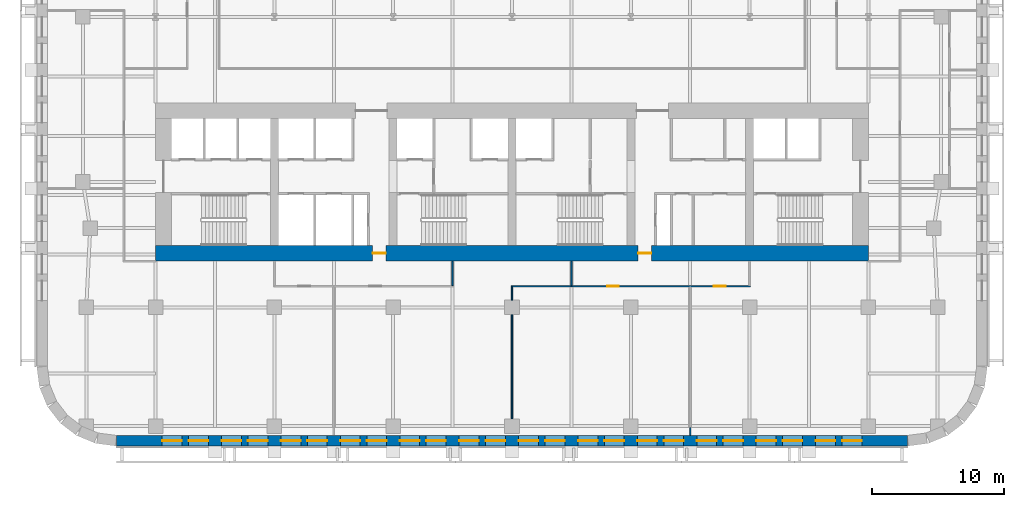
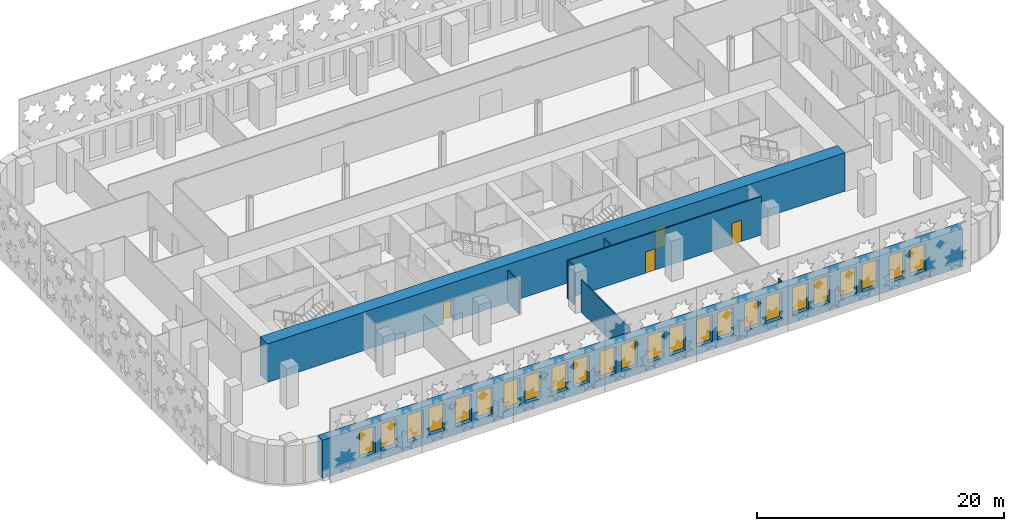
# One storey, part 5 of 15: 24 windows, 8 walls, 4 doors, 28 openings.
"""IFC4 building model written with IfcOpenShell, lengths in metres."""

from ifc_helpers import new_model, si_unit, direction, frame, frame_2d, origin, place, context, subcontext, project, spatial, rectangle, extrude, material, layer, layer_set, type_object, element, fill, save


model = new_model("IFC4")

# Units and contexts
model_context = context("Model", 3, precision=1e-05, world=origin(), true_north=direction((0.0, 1.0)))
body_context = subcontext(model_context, "Body", "Model", "MODEL_VIEW")
ifc_project = project(units=[si_unit("LENGTHUNIT", "METRE"), si_unit("AREAUNIT", "SQUARE_METRE"), si_unit("VOLUMEUNIT", "CUBIC_METRE"), si_unit("PLANEANGLEUNIT", "RADIAN"), si_unit("MASSUNIT", "GRAM", prefix="KILO")], contexts=[model_context])

# Site, building, storey
site_placement = place(None, origin())
site = spatial("IfcSite", under=ifc_project, at=site_placement, CompositionType="ELEMENT")
building_placement = place(site_placement, origin())
building = spatial("IfcBuilding", under=site, at=building_placement, Name="Zellij Exchange Tower", CompositionType="ELEMENT")
storey_placement = place(building_placement, frame((0.0, 0.0, 92.5)))
storey = spatial("IfcBuildingStorey", under=building, at=storey_placement, Name="L19", CompositionType="ELEMENT", Elevation=92.5)

# Wall, openings, doors
ifc_material_1 = material(Name="Concrete C70/85", Category="concrete")
ifc_layer_1 = layer(ifc_material_1, 1.199951171875)
ifc_layer_set_1 = layer_set([ifc_layer_1], Name="Concrete C70/85")
wall_type_1 = type_object("IfcWallType", Name="CORE-SW 1200 C70/85", PredefinedType="SHEAR", material=ifc_layer_set_1)
wall_1_placement = place(storey_placement, frame((-27.0, -13.39990234375, 0.0), z_axis=(0.0, 0.0, 1.0), x_axis=(1.0, 0.0, 0.0)))
wall_1 = element("IfcWall", 1, at=wall_1_placement, inside=storey, type_object=wall_type_1, Name="Core shear wall rear L19", PredefinedType="SHEAR", context=body_context, shape_type="SweptSolid", body=[
    extrude(rectangle(XDim=54.0, YDim=1.199951171875, at=frame_2d((27.0, 0.0))), origin(), (0.0, 0.0, 1.0), 3.800048828125),
])
opening_1_placement = place(wall_1_placement, frame((16.449951171875, 0.0, 0.0)))
opening_1 = element("IfcOpeningElement", 2, at=opening_1_placement, cuts=wall_1, Name="Opening CA-10.12", PredefinedType="OPENING", context=body_context, shape_type="SweptSolid", body=[
    extrude(rectangle(XDim=1.0, YDim=2.10009765625, at=frame_2d((0.5, 1.050048828125))), frame((0.0, 0.61181640625, 0.0), z_axis=(0.0, -1.0, 0.0), x_axis=(1.0, 0.0, 0.0)), (0.0, 0.0, 1.0), 1.223876953125),
])
opening_2_placement = place(wall_1_placement, frame((36.550048828125, 0.0, 0.0)))
opening_2 = element("IfcOpeningElement", 3, at=opening_2_placement, cuts=wall_1, Name="Opening CA-10.20", PredefinedType="OPENING", context=body_context, shape_type="SweptSolid", body=[
    extrude(rectangle(XDim=1.0, YDim=2.10009765625, at=frame_2d((0.5, 1.050048828125))), frame((0.0, 0.61181640625, 0.0), z_axis=(0.0, -1.0, 0.0), x_axis=(1.0, 0.0, 0.0)), (0.0, 0.0, 1.0), 1.223876953125),
])
ifc_material_2 = material(Name="Hollow metal fire door")
door_type_1 = type_object("IfcDoorType", Name="CORE-D CR Core rear door 1000x2100 20 MIN", OperationType="NOTDEFINED", PredefinedType="DOOR", material=ifc_material_2)
door_1_placement = place(opening_1_placement, origin())
door_1 = element("IfcDoor", 4, at=door_1_placement, inside=storey, type_object=door_type_1, Name="Core rear door CA-10.12", OperationType="SINGLE_SWING_RIGHT", OverallHeight=2.10009765625, OverallWidth=1.0, PredefinedType="DOOR", context=body_context, shape_type="SweptSolid", body=[
    extrude(rectangle(XDim=1.0, YDim=2.10009765625, at=frame_2d((0.5, 1.050048828125))), frame((0.0, 0.02490234375, 0.0), z_axis=(0.0, -1.0, 0.0), x_axis=(1.0, 0.0, 0.0)), (0.0, 0.0, 1.0), 0.050048828125),
])
fill(opening_1, door_1)
door_2_placement = place(opening_2_placement, origin())
door_2 = element("IfcDoor", 5, at=door_2_placement, inside=storey, type_object=door_type_1, Name="Core rear door CA-10.20", OperationType="SINGLE_SWING_LEFT", OverallHeight=2.10009765625, OverallWidth=1.0, PredefinedType="DOOR", context=body_context, shape_type="SweptSolid", body=[
    extrude(rectangle(XDim=1.0, YDim=2.10009765625, at=frame_2d((0.5, 1.050048828125))), frame((0.0, 0.02490234375, 0.0), z_axis=(0.0, -1.0, 0.0), x_axis=(1.0, 0.0, 0.0)), (0.0, 0.0, 1.0), 0.050048828125),
])
fill(opening_2, door_2)

# Wall, openings, windows
ifc_material_3 = material(Name="Precast concrete C40/50", Category="concrete")
ifc_layer_2 = layer(ifc_material_3, 0.800048828125)
ifc_layer_set_2 = layer_set([ifc_layer_2], Name="Precast concrete C40/50")
wall_type_2 = type_object("IfcWallType", Name="ENV-EW1 Precast stone-piered wall 800", PredefinedType="SOLIDWALL", material=ifc_layer_set_2)
wall_2_placement = place(storey_placement, frame((-29.947509765625, -27.60009765625, 0.0), z_axis=(0.0, 0.0, 1.0), x_axis=(1.0, 0.0, 0.0)))
wall_2 = element("IfcWall", 6, at=wall_2_placement, inside=storey, type_object=wall_type_2, Name="fac.L19.00", PredefinedType="SOLIDWALL", context=body_context, shape_type="SweptSolid", body=[
    extrude(rectangle(XDim=59.89501953125, YDim=0.800048828125, at=frame_2d((29.947509765625, 0.0))), origin(), (0.0, 0.0, 1.0), 3.800048828125),
])
opening_3_placement = place(wall_2_placement, frame((3.447509765625, 0.0, 0.800048828125)))
opening_3 = element("IfcOpeningElement", 7, at=opening_3_placement, cuts=wall_2, Name="Opening FZ1.01", PredefinedType="OPENING", context=body_context, shape_type="SweptSolid", body=[
    extrude(rectangle(XDim=1.5, YDim=2.699951171875, at=frame_2d((0.75, 1.35009765625))), frame((0.0, 0.412109375, 0.0), z_axis=(0.0, -1.0, 0.0), x_axis=(1.0, 0.0, 0.0)), (0.0, 0.0, 1.0), 0.823974609375),
])
opening_4_placement = place(wall_2_placement, frame((5.447509765625, 0.0, 0.800048828125)))
opening_4 = element("IfcOpeningElement", 8, at=opening_4_placement, cuts=wall_2, Name="Opening FZ1.02", PredefinedType="OPENING", context=body_context, shape_type="SweptSolid", body=[
    extrude(rectangle(XDim=1.5, YDim=2.699951171875, at=frame_2d((0.75, 1.35009765625))), frame((0.0, 0.412109375, 0.0), z_axis=(0.0, -1.0, 0.0), x_axis=(1.0, 0.0, 0.0)), (0.0, 0.0, 1.0), 0.823974609375),
])
opening_5_placement = place(wall_2_placement, frame((7.947509765625, 0.0, 0.800048828125)))
opening_5 = element("IfcOpeningElement", 9, at=opening_5_placement, cuts=wall_2, Name="Opening FZ1.03", PredefinedType="OPENING", context=body_context, shape_type="SweptSolid", body=[
    extrude(rectangle(XDim=1.5, YDim=2.699951171875, at=frame_2d((0.75, 1.35009765625))), frame((0.0, 0.412109375, 0.0), z_axis=(0.0, -1.0, 0.0), x_axis=(1.0, 0.0, 0.0)), (0.0, 0.0, 1.0), 0.823974609375),
])
opening_6_placement = place(wall_2_placement, frame((9.947509765625, 0.0, 0.800048828125)))
opening_6 = element("IfcOpeningElement", 10, at=opening_6_placement, cuts=wall_2, Name="Opening FZ1.04", PredefinedType="OPENING", context=body_context, shape_type="SweptSolid", body=[
    extrude(rectangle(XDim=1.5, YDim=2.699951171875, at=frame_2d((0.75, 1.35009765625))), frame((0.0, 0.412109375, 0.0), z_axis=(0.0, -1.0, 0.0), x_axis=(1.0, 0.0, 0.0)), (0.0, 0.0, 1.0), 0.823974609375),
])
opening_7_placement = place(wall_2_placement, frame((12.447509765625, 0.0, 0.800048828125)))
opening_7 = element("IfcOpeningElement", 11, at=opening_7_placement, cuts=wall_2, Name="Opening FZ1.05", PredefinedType="OPENING", context=body_context, shape_type="SweptSolid", body=[
    extrude(rectangle(XDim=1.5, YDim=2.699951171875, at=frame_2d((0.75, 1.35009765625))), frame((0.0, 0.412109375, 0.0), z_axis=(0.0, -1.0, 0.0), x_axis=(1.0, 0.0, 0.0)), (0.0, 0.0, 1.0), 0.823974609375),
])
opening_8_placement = place(wall_2_placement, frame((14.447509765625, 0.0, 0.800048828125)))
opening_8 = element("IfcOpeningElement", 12, at=opening_8_placement, cuts=wall_2, Name="Opening FZ1.06", PredefinedType="OPENING", context=body_context, shape_type="SweptSolid", body=[
    extrude(rectangle(XDim=1.5, YDim=2.699951171875, at=frame_2d((0.75, 1.35009765625))), frame((0.0, 0.412109375, 0.0), z_axis=(0.0, -1.0, 0.0), x_axis=(1.0, 0.0, 0.0)), (0.0, 0.0, 1.0), 0.823974609375),
])
opening_9_placement = place(wall_2_placement, frame((16.947509765625, 0.0, 0.800048828125)))
opening_9 = element("IfcOpeningElement", 13, at=opening_9_placement, cuts=wall_2, Name="Opening FZ1.07", PredefinedType="OPENING", context=body_context, shape_type="SweptSolid", body=[
    extrude(rectangle(XDim=1.5, YDim=2.699951171875, at=frame_2d((0.75, 1.35009765625))), frame((0.0, 0.412109375, 0.0), z_axis=(0.0, -1.0, 0.0), x_axis=(1.0, 0.0, 0.0)), (0.0, 0.0, 1.0), 0.823974609375),
])
opening_10_placement = place(wall_2_placement, frame((18.947509765625, 0.0, 0.800048828125)))
opening_10 = element("IfcOpeningElement", 14, at=opening_10_placement, cuts=wall_2, Name="Opening FZ1.08", PredefinedType="OPENING", context=body_context, shape_type="SweptSolid", body=[
    extrude(rectangle(XDim=1.5, YDim=2.699951171875, at=frame_2d((0.75, 1.35009765625))), frame((0.0, 0.412109375, 0.0), z_axis=(0.0, -1.0, 0.0), x_axis=(1.0, 0.0, 0.0)), (0.0, 0.0, 1.0), 0.823974609375),
])
opening_11_placement = place(wall_2_placement, frame((21.447509765625, 0.0, 0.800048828125)))
opening_11 = element("IfcOpeningElement", 15, at=opening_11_placement, cuts=wall_2, Name="Opening FZ1.09", PredefinedType="OPENING", context=body_context, shape_type="SweptSolid", body=[
    extrude(rectangle(XDim=1.5, YDim=2.699951171875, at=frame_2d((0.75, 1.35009765625))), frame((0.0, 0.412109375, 0.0), z_axis=(0.0, -1.0, 0.0), x_axis=(1.0, 0.0, 0.0)), (0.0, 0.0, 1.0), 0.823974609375),
])
opening_12_placement = place(wall_2_placement, frame((23.447509765625, 0.0, 0.800048828125)))
opening_12 = element("IfcOpeningElement", 16, at=opening_12_placement, cuts=wall_2, Name="Opening FZ1.10", PredefinedType="OPENING", context=body_context, shape_type="SweptSolid", body=[
    extrude(rectangle(XDim=1.5, YDim=2.699951171875, at=frame_2d((0.75, 1.35009765625))), frame((0.0, 0.412109375, 0.0), z_axis=(0.0, -1.0, 0.0), x_axis=(1.0, 0.0, 0.0)), (0.0, 0.0, 1.0), 0.823974609375),
])
opening_13_placement = place(wall_2_placement, frame((25.947509765625, 0.0, 0.800048828125)))
opening_13 = element("IfcOpeningElement", 17, at=opening_13_placement, cuts=wall_2, Name="Opening FZ1.11", PredefinedType="OPENING", context=body_context, shape_type="SweptSolid", body=[
    extrude(rectangle(XDim=1.5, YDim=2.699951171875, at=frame_2d((0.75, 1.35009765625))), frame((0.0, 0.412109375, 0.0), z_axis=(0.0, -1.0, 0.0), x_axis=(1.0, 0.0, 0.0)), (0.0, 0.0, 1.0), 0.823974609375),
])
opening_14_placement = place(wall_2_placement, frame((27.947509765625, 0.0, 0.800048828125)))
opening_14 = element("IfcOpeningElement", 18, at=opening_14_placement, cuts=wall_2, Name="Opening FZ1.12", PredefinedType="OPENING", context=body_context, shape_type="SweptSolid", body=[
    extrude(rectangle(XDim=1.5, YDim=2.699951171875, at=frame_2d((0.75, 1.35009765625))), frame((0.0, 0.412109375, 0.0), z_axis=(0.0, -1.0, 0.0), x_axis=(1.0, 0.0, 0.0)), (0.0, 0.0, 1.0), 0.823974609375),
])
opening_15_placement = place(wall_2_placement, frame((30.447509765625, 0.0, 0.800048828125)))
opening_15 = element("IfcOpeningElement", 19, at=opening_15_placement, cuts=wall_2, Name="Opening FZ1.13", PredefinedType="OPENING", context=body_context, shape_type="SweptSolid", body=[
    extrude(rectangle(XDim=1.5, YDim=2.699951171875, at=frame_2d((0.75, 1.35009765625))), frame((0.0, 0.412109375, 0.0), z_axis=(0.0, -1.0, 0.0), x_axis=(1.0, 0.0, 0.0)), (0.0, 0.0, 1.0), 0.823974609375),
])
opening_16_placement = place(wall_2_placement, frame((32.447509765625, 0.0, 0.800048828125)))
opening_16 = element("IfcOpeningElement", 20, at=opening_16_placement, cuts=wall_2, Name="Opening FZ1.14", PredefinedType="OPENING", context=body_context, shape_type="SweptSolid", body=[
    extrude(rectangle(XDim=1.5, YDim=2.699951171875, at=frame_2d((0.75, 1.35009765625))), frame((0.0, 0.412109375, 0.0), z_axis=(0.0, -1.0, 0.0), x_axis=(1.0, 0.0, 0.0)), (0.0, 0.0, 1.0), 0.823974609375),
])
opening_17_placement = place(wall_2_placement, frame((34.947509765625, 0.0, 0.800048828125)))
opening_17 = element("IfcOpeningElement", 21, at=opening_17_placement, cuts=wall_2, Name="Opening FZ1.15", PredefinedType="OPENING", context=body_context, shape_type="SweptSolid", body=[
    extrude(rectangle(XDim=1.5, YDim=2.699951171875, at=frame_2d((0.75, 1.35009765625))), frame((0.0, 0.412109375, 0.0), z_axis=(0.0, -1.0, 0.0), x_axis=(1.0, 0.0, 0.0)), (0.0, 0.0, 1.0), 0.823974609375),
])
opening_18_placement = place(wall_2_placement, frame((36.947509765625, 0.0, 0.800048828125)))
opening_18 = element("IfcOpeningElement", 22, at=opening_18_placement, cuts=wall_2, Name="Opening FZ1.16", PredefinedType="OPENING", context=body_context, shape_type="SweptSolid", body=[
    extrude(rectangle(XDim=1.5, YDim=2.699951171875, at=frame_2d((0.75, 1.35009765625))), frame((0.0, 0.412109375, 0.0), z_axis=(0.0, -1.0, 0.0), x_axis=(1.0, 0.0, 0.0)), (0.0, 0.0, 1.0), 0.823974609375),
])
opening_19_placement = place(wall_2_placement, frame((39.447509765625, 0.0, 0.800048828125)))
opening_19 = element("IfcOpeningElement", 23, at=opening_19_placement, cuts=wall_2, Name="Opening FZ1.17", PredefinedType="OPENING", context=body_context, shape_type="SweptSolid", body=[
    extrude(rectangle(XDim=1.5, YDim=2.699951171875, at=frame_2d((0.75, 1.35009765625))), frame((0.0, 0.412109375, 0.0), z_axis=(0.0, -1.0, 0.0), x_axis=(1.0, 0.0, 0.0)), (0.0, 0.0, 1.0), 0.823974609375),
])
opening_20_placement = place(wall_2_placement, frame((41.447509765625, 0.0, 0.800048828125)))
opening_20 = element("IfcOpeningElement", 24, at=opening_20_placement, cuts=wall_2, Name="Opening FZ1.18", PredefinedType="OPENING", context=body_context, shape_type="SweptSolid", body=[
    extrude(rectangle(XDim=1.5, YDim=2.699951171875, at=frame_2d((0.75, 1.35009765625))), frame((0.0, 0.412109375, 0.0), z_axis=(0.0, -1.0, 0.0), x_axis=(1.0, 0.0, 0.0)), (0.0, 0.0, 1.0), 0.823974609375),
])
opening_21_placement = place(wall_2_placement, frame((43.947509765625, 0.0, 0.800048828125)))
opening_21 = element("IfcOpeningElement", 25, at=opening_21_placement, cuts=wall_2, Name="Opening FZ1.19", PredefinedType="OPENING", context=body_context, shape_type="SweptSolid", body=[
    extrude(rectangle(XDim=1.5, YDim=2.699951171875, at=frame_2d((0.75, 1.35009765625))), frame((0.0, 0.412109375, 0.0), z_axis=(0.0, -1.0, 0.0), x_axis=(1.0, 0.0, 0.0)), (0.0, 0.0, 1.0), 0.823974609375),
])
opening_22_placement = place(wall_2_placement, frame((45.947509765625, 0.0, 0.800048828125)))
opening_22 = element("IfcOpeningElement", 26, at=opening_22_placement, cuts=wall_2, Name="Opening FZ1.20", PredefinedType="OPENING", context=body_context, shape_type="SweptSolid", body=[
    extrude(rectangle(XDim=1.5, YDim=2.699951171875, at=frame_2d((0.75, 1.35009765625))), frame((0.0, 0.412109375, 0.0), z_axis=(0.0, -1.0, 0.0), x_axis=(1.0, 0.0, 0.0)), (0.0, 0.0, 1.0), 0.823974609375),
])
opening_23_placement = place(wall_2_placement, frame((48.447509765625, 0.0, 0.800048828125)))
opening_23 = element("IfcOpeningElement", 27, at=opening_23_placement, cuts=wall_2, Name="Opening FZ1.21", PredefinedType="OPENING", context=body_context, shape_type="SweptSolid", body=[
    extrude(rectangle(XDim=1.5, YDim=2.699951171875, at=frame_2d((0.75, 1.35009765625))), frame((0.0, 0.412109375, 0.0), z_axis=(0.0, -1.0, 0.0), x_axis=(1.0, 0.0, 0.0)), (0.0, 0.0, 1.0), 0.823974609375),
])
opening_24_placement = place(wall_2_placement, frame((50.447509765625, 0.0, 0.800048828125)))
opening_24 = element("IfcOpeningElement", 28, at=opening_24_placement, cuts=wall_2, Name="Opening FZ1.22", PredefinedType="OPENING", context=body_context, shape_type="SweptSolid", body=[
    extrude(rectangle(XDim=1.5, YDim=2.699951171875, at=frame_2d((0.75, 1.35009765625))), frame((0.0, 0.412109375, 0.0), z_axis=(0.0, -1.0, 0.0), x_axis=(1.0, 0.0, 0.0)), (0.0, 0.0, 1.0), 0.823974609375),
])
opening_25_placement = place(wall_2_placement, frame((52.947509765625, 0.0, 0.800048828125)))
opening_25 = element("IfcOpeningElement", 29, at=opening_25_placement, cuts=wall_2, Name="Opening FZ1.23", PredefinedType="OPENING", context=body_context, shape_type="SweptSolid", body=[
    extrude(rectangle(XDim=1.5, YDim=2.699951171875, at=frame_2d((0.75, 1.35009765625))), frame((0.0, 0.412109375, 0.0), z_axis=(0.0, -1.0, 0.0), x_axis=(1.0, 0.0, 0.0)), (0.0, 0.0, 1.0), 0.823974609375),
])
opening_26_placement = place(wall_2_placement, frame((54.947509765625, 0.0, 0.800048828125)))
opening_26 = element("IfcOpeningElement", 30, at=opening_26_placement, cuts=wall_2, Name="Opening FZ1.24", PredefinedType="OPENING", context=body_context, shape_type="SweptSolid", body=[
    extrude(rectangle(XDim=1.5, YDim=2.699951171875, at=frame_2d((0.75, 1.35009765625))), frame((0.0, 0.412109375, 0.0), z_axis=(0.0, -1.0, 0.0), x_axis=(1.0, 0.0, 0.0)), (0.0, 0.0, 1.0), 0.823974609375),
])
ifc_material_4 = material(Name="Aluminium frame with insulating glass", Category="aluminium")
window_type = type_object("IfcWindowType", Name="ENV-W6 Window 1500x2700", PartitioningType="SINGLE_PANEL", PredefinedType="WINDOW", material=ifc_material_4)
window_1_placement = place(opening_3_placement, origin())
window_1 = element("IfcWindow", 31, at=window_1_placement, inside=storey, type_object=window_type, Name="Window FZ1.01", OverallHeight=2.699951171875, OverallWidth=1.5, PartitioningType="SINGLE_PANEL", PredefinedType="WINDOW", context=body_context, shape_type="SweptSolid", body=[
    extrude(rectangle(XDim=1.5, YDim=2.699951171875, at=frame_2d((0.75, 1.35009765625))), frame((0.0, 0.030029296875, 0.0), z_axis=(0.0, -1.0, 0.0), x_axis=(1.0, 0.0, 0.0)), (0.0, 0.0, 1.0), 0.06005859375),
])
fill(opening_3, window_1)
window_2_placement = place(opening_4_placement, origin())
window_2 = element("IfcWindow", 32, at=window_2_placement, inside=storey, type_object=window_type, Name="Window FZ1.02", OverallHeight=2.699951171875, OverallWidth=1.5, PartitioningType="SINGLE_PANEL", PredefinedType="WINDOW", context=body_context, shape_type="SweptSolid", body=[
    extrude(rectangle(XDim=1.5, YDim=2.699951171875, at=frame_2d((0.75, 1.35009765625))), frame((0.0, 0.030029296875, 0.0), z_axis=(0.0, -1.0, 0.0), x_axis=(1.0, 0.0, 0.0)), (0.0, 0.0, 1.0), 0.06005859375),
])
fill(opening_4, window_2)
window_3_placement = place(opening_5_placement, origin())
window_3 = element("IfcWindow", 33, at=window_3_placement, inside=storey, type_object=window_type, Name="Window FZ1.03", OverallHeight=2.699951171875, OverallWidth=1.5, PartitioningType="SINGLE_PANEL", PredefinedType="WINDOW", context=body_context, shape_type="SweptSolid", body=[
    extrude(rectangle(XDim=1.5, YDim=2.699951171875, at=frame_2d((0.75, 1.35009765625))), frame((0.0, 0.030029296875, 0.0), z_axis=(0.0, -1.0, 0.0), x_axis=(1.0, 0.0, 0.0)), (0.0, 0.0, 1.0), 0.06005859375),
])
fill(opening_5, window_3)
window_4_placement = place(opening_6_placement, origin())
window_4 = element("IfcWindow", 34, at=window_4_placement, inside=storey, type_object=window_type, Name="Window FZ1.04", OverallHeight=2.699951171875, OverallWidth=1.5, PartitioningType="SINGLE_PANEL", PredefinedType="WINDOW", context=body_context, shape_type="SweptSolid", body=[
    extrude(rectangle(XDim=1.5, YDim=2.699951171875, at=frame_2d((0.75, 1.35009765625))), frame((0.0, 0.030029296875, 0.0), z_axis=(0.0, -1.0, 0.0), x_axis=(1.0, 0.0, 0.0)), (0.0, 0.0, 1.0), 0.06005859375),
])
fill(opening_6, window_4)
window_5_placement = place(opening_7_placement, origin())
window_5 = element("IfcWindow", 35, at=window_5_placement, inside=storey, type_object=window_type, Name="Window FZ1.05", OverallHeight=2.699951171875, OverallWidth=1.5, PartitioningType="SINGLE_PANEL", PredefinedType="WINDOW", context=body_context, shape_type="SweptSolid", body=[
    extrude(rectangle(XDim=1.5, YDim=2.699951171875, at=frame_2d((0.75, 1.35009765625))), frame((0.0, 0.030029296875, 0.0), z_axis=(0.0, -1.0, 0.0), x_axis=(1.0, 0.0, 0.0)), (0.0, 0.0, 1.0), 0.06005859375),
])
fill(opening_7, window_5)
window_6_placement = place(opening_8_placement, origin())
window_6 = element("IfcWindow", 36, at=window_6_placement, inside=storey, type_object=window_type, Name="Window FZ1.06", OverallHeight=2.699951171875, OverallWidth=1.5, PartitioningType="SINGLE_PANEL", PredefinedType="WINDOW", context=body_context, shape_type="SweptSolid", body=[
    extrude(rectangle(XDim=1.5, YDim=2.699951171875, at=frame_2d((0.75, 1.35009765625))), frame((0.0, 0.030029296875, 0.0), z_axis=(0.0, -1.0, 0.0), x_axis=(1.0, 0.0, 0.0)), (0.0, 0.0, 1.0), 0.06005859375),
])
fill(opening_8, window_6)
window_7_placement = place(opening_9_placement, origin())
window_7 = element("IfcWindow", 37, at=window_7_placement, inside=storey, type_object=window_type, Name="Window FZ1.07", OverallHeight=2.699951171875, OverallWidth=1.5, PartitioningType="SINGLE_PANEL", PredefinedType="WINDOW", context=body_context, shape_type="SweptSolid", body=[
    extrude(rectangle(XDim=1.5, YDim=2.699951171875, at=frame_2d((0.75, 1.35009765625))), frame((0.0, 0.030029296875, 0.0), z_axis=(0.0, -1.0, 0.0), x_axis=(1.0, 0.0, 0.0)), (0.0, 0.0, 1.0), 0.06005859375),
])
fill(opening_9, window_7)
window_8_placement = place(opening_10_placement, origin())
window_8 = element("IfcWindow", 38, at=window_8_placement, inside=storey, type_object=window_type, Name="Window FZ1.08", OverallHeight=2.699951171875, OverallWidth=1.5, PartitioningType="SINGLE_PANEL", PredefinedType="WINDOW", context=body_context, shape_type="SweptSolid", body=[
    extrude(rectangle(XDim=1.5, YDim=2.699951171875, at=frame_2d((0.75, 1.35009765625))), frame((0.0, 0.030029296875, 0.0), z_axis=(0.0, -1.0, 0.0), x_axis=(1.0, 0.0, 0.0)), (0.0, 0.0, 1.0), 0.06005859375),
])
fill(opening_10, window_8)
window_9_placement = place(opening_11_placement, origin())
window_9 = element("IfcWindow", 39, at=window_9_placement, inside=storey, type_object=window_type, Name="Window FZ1.09", OverallHeight=2.699951171875, OverallWidth=1.5, PartitioningType="SINGLE_PANEL", PredefinedType="WINDOW", context=body_context, shape_type="SweptSolid", body=[
    extrude(rectangle(XDim=1.5, YDim=2.699951171875, at=frame_2d((0.75, 1.35009765625))), frame((0.0, 0.030029296875, 0.0), z_axis=(0.0, -1.0, 0.0), x_axis=(1.0, 0.0, 0.0)), (0.0, 0.0, 1.0), 0.06005859375),
])
fill(opening_11, window_9)
window_10_placement = place(opening_12_placement, origin())
window_10 = element("IfcWindow", 40, at=window_10_placement, inside=storey, type_object=window_type, Name="Window FZ1.10", OverallHeight=2.699951171875, OverallWidth=1.5, PartitioningType="SINGLE_PANEL", PredefinedType="WINDOW", context=body_context, shape_type="SweptSolid", body=[
    extrude(rectangle(XDim=1.5, YDim=2.699951171875, at=frame_2d((0.75, 1.35009765625))), frame((0.0, 0.030029296875, 0.0), z_axis=(0.0, -1.0, 0.0), x_axis=(1.0, 0.0, 0.0)), (0.0, 0.0, 1.0), 0.06005859375),
])
fill(opening_12, window_10)
window_11_placement = place(opening_13_placement, origin())
window_11 = element("IfcWindow", 41, at=window_11_placement, inside=storey, type_object=window_type, Name="Window FZ1.11", OverallHeight=2.699951171875, OverallWidth=1.5, PartitioningType="SINGLE_PANEL", PredefinedType="WINDOW", context=body_context, shape_type="SweptSolid", body=[
    extrude(rectangle(XDim=1.5, YDim=2.699951171875, at=frame_2d((0.75, 1.35009765625))), frame((0.0, 0.030029296875, 0.0), z_axis=(0.0, -1.0, 0.0), x_axis=(1.0, 0.0, 0.0)), (0.0, 0.0, 1.0), 0.06005859375),
])
fill(opening_13, window_11)
window_12_placement = place(opening_14_placement, origin())
window_12 = element("IfcWindow", 42, at=window_12_placement, inside=storey, type_object=window_type, Name="Window FZ1.12", OverallHeight=2.699951171875, OverallWidth=1.5, PartitioningType="SINGLE_PANEL", PredefinedType="WINDOW", context=body_context, shape_type="SweptSolid", body=[
    extrude(rectangle(XDim=1.5, YDim=2.699951171875, at=frame_2d((0.75, 1.35009765625))), frame((0.0, 0.030029296875, 0.0), z_axis=(0.0, -1.0, 0.0), x_axis=(1.0, 0.0, 0.0)), (0.0, 0.0, 1.0), 0.06005859375),
])
fill(opening_14, window_12)
window_13_placement = place(opening_15_placement, origin())
window_13 = element("IfcWindow", 43, at=window_13_placement, inside=storey, type_object=window_type, Name="Window FZ1.13", OverallHeight=2.699951171875, OverallWidth=1.5, PartitioningType="SINGLE_PANEL", PredefinedType="WINDOW", context=body_context, shape_type="SweptSolid", body=[
    extrude(rectangle(XDim=1.5, YDim=2.699951171875, at=frame_2d((0.75, 1.35009765625))), frame((0.0, 0.030029296875, 0.0), z_axis=(0.0, -1.0, 0.0), x_axis=(1.0, 0.0, 0.0)), (0.0, 0.0, 1.0), 0.06005859375),
])
fill(opening_15, window_13)
window_14_placement = place(opening_16_placement, origin())
window_14 = element("IfcWindow", 44, at=window_14_placement, inside=storey, type_object=window_type, Name="Window FZ1.14", OverallHeight=2.699951171875, OverallWidth=1.5, PartitioningType="SINGLE_PANEL", PredefinedType="WINDOW", context=body_context, shape_type="SweptSolid", body=[
    extrude(rectangle(XDim=1.5, YDim=2.699951171875, at=frame_2d((0.75, 1.35009765625))), frame((0.0, 0.030029296875, 0.0), z_axis=(0.0, -1.0, 0.0), x_axis=(1.0, 0.0, 0.0)), (0.0, 0.0, 1.0), 0.06005859375),
])
fill(opening_16, window_14)
window_15_placement = place(opening_17_placement, origin())
window_15 = element("IfcWindow", 45, at=window_15_placement, inside=storey, type_object=window_type, Name="Window FZ1.15", OverallHeight=2.699951171875, OverallWidth=1.5, PartitioningType="SINGLE_PANEL", PredefinedType="WINDOW", context=body_context, shape_type="SweptSolid", body=[
    extrude(rectangle(XDim=1.5, YDim=2.699951171875, at=frame_2d((0.75, 1.35009765625))), frame((0.0, 0.030029296875, 0.0), z_axis=(0.0, -1.0, 0.0), x_axis=(1.0, 0.0, 0.0)), (0.0, 0.0, 1.0), 0.06005859375),
])
fill(opening_17, window_15)
window_16_placement = place(opening_18_placement, origin())
window_16 = element("IfcWindow", 46, at=window_16_placement, inside=storey, type_object=window_type, Name="Window FZ1.16", OverallHeight=2.699951171875, OverallWidth=1.5, PartitioningType="SINGLE_PANEL", PredefinedType="WINDOW", context=body_context, shape_type="SweptSolid", body=[
    extrude(rectangle(XDim=1.5, YDim=2.699951171875, at=frame_2d((0.75, 1.35009765625))), frame((0.0, 0.030029296875, 0.0), z_axis=(0.0, -1.0, 0.0), x_axis=(1.0, 0.0, 0.0)), (0.0, 0.0, 1.0), 0.06005859375),
])
fill(opening_18, window_16)
window_17_placement = place(opening_19_placement, origin())
window_17 = element("IfcWindow", 47, at=window_17_placement, inside=storey, type_object=window_type, Name="Window FZ1.17", OverallHeight=2.699951171875, OverallWidth=1.5, PartitioningType="SINGLE_PANEL", PredefinedType="WINDOW", context=body_context, shape_type="SweptSolid", body=[
    extrude(rectangle(XDim=1.5, YDim=2.699951171875, at=frame_2d((0.75, 1.35009765625))), frame((0.0, 0.030029296875, 0.0), z_axis=(0.0, -1.0, 0.0), x_axis=(1.0, 0.0, 0.0)), (0.0, 0.0, 1.0), 0.06005859375),
])
fill(opening_19, window_17)
window_18_placement = place(opening_20_placement, origin())
window_18 = element("IfcWindow", 48, at=window_18_placement, inside=storey, type_object=window_type, Name="Window FZ1.18", OverallHeight=2.699951171875, OverallWidth=1.5, PartitioningType="SINGLE_PANEL", PredefinedType="WINDOW", context=body_context, shape_type="SweptSolid", body=[
    extrude(rectangle(XDim=1.5, YDim=2.699951171875, at=frame_2d((0.75, 1.35009765625))), frame((0.0, 0.030029296875, 0.0), z_axis=(0.0, -1.0, 0.0), x_axis=(1.0, 0.0, 0.0)), (0.0, 0.0, 1.0), 0.06005859375),
])
fill(opening_20, window_18)
window_19_placement = place(opening_21_placement, origin())
window_19 = element("IfcWindow", 49, at=window_19_placement, inside=storey, type_object=window_type, Name="Window FZ1.19", OverallHeight=2.699951171875, OverallWidth=1.5, PartitioningType="SINGLE_PANEL", PredefinedType="WINDOW", context=body_context, shape_type="SweptSolid", body=[
    extrude(rectangle(XDim=1.5, YDim=2.699951171875, at=frame_2d((0.75, 1.35009765625))), frame((0.0, 0.030029296875, 0.0), z_axis=(0.0, -1.0, 0.0), x_axis=(1.0, 0.0, 0.0)), (0.0, 0.0, 1.0), 0.06005859375),
])
fill(opening_21, window_19)
window_20_placement = place(opening_22_placement, origin())
window_20 = element("IfcWindow", 50, at=window_20_placement, inside=storey, type_object=window_type, Name="Window FZ1.20", OverallHeight=2.699951171875, OverallWidth=1.5, PartitioningType="SINGLE_PANEL", PredefinedType="WINDOW", context=body_context, shape_type="SweptSolid", body=[
    extrude(rectangle(XDim=1.5, YDim=2.699951171875, at=frame_2d((0.75, 1.35009765625))), frame((0.0, 0.030029296875, 0.0), z_axis=(0.0, -1.0, 0.0), x_axis=(1.0, 0.0, 0.0)), (0.0, 0.0, 1.0), 0.06005859375),
])
fill(opening_22, window_20)
window_21_placement = place(opening_23_placement, origin())
window_21 = element("IfcWindow", 51, at=window_21_placement, inside=storey, type_object=window_type, Name="Window FZ1.21", OverallHeight=2.699951171875, OverallWidth=1.5, PartitioningType="SINGLE_PANEL", PredefinedType="WINDOW", context=body_context, shape_type="SweptSolid", body=[
    extrude(rectangle(XDim=1.5, YDim=2.699951171875, at=frame_2d((0.75, 1.35009765625))), frame((0.0, 0.030029296875, 0.0), z_axis=(0.0, -1.0, 0.0), x_axis=(1.0, 0.0, 0.0)), (0.0, 0.0, 1.0), 0.06005859375),
])
fill(opening_23, window_21)
window_22_placement = place(opening_24_placement, origin())
window_22 = element("IfcWindow", 52, at=window_22_placement, inside=storey, type_object=window_type, Name="Window FZ1.22", OverallHeight=2.699951171875, OverallWidth=1.5, PartitioningType="SINGLE_PANEL", PredefinedType="WINDOW", context=body_context, shape_type="SweptSolid", body=[
    extrude(rectangle(XDim=1.5, YDim=2.699951171875, at=frame_2d((0.75, 1.35009765625))), frame((0.0, 0.030029296875, 0.0), z_axis=(0.0, -1.0, 0.0), x_axis=(1.0, 0.0, 0.0)), (0.0, 0.0, 1.0), 0.06005859375),
])
fill(opening_24, window_22)
window_23_placement = place(opening_25_placement, origin())
window_23 = element("IfcWindow", 53, at=window_23_placement, inside=storey, type_object=window_type, Name="Window FZ1.23", OverallHeight=2.699951171875, OverallWidth=1.5, PartitioningType="SINGLE_PANEL", PredefinedType="WINDOW", context=body_context, shape_type="SweptSolid", body=[
    extrude(rectangle(XDim=1.5, YDim=2.699951171875, at=frame_2d((0.75, 1.35009765625))), frame((0.0, 0.030029296875, 0.0), z_axis=(0.0, -1.0, 0.0), x_axis=(1.0, 0.0, 0.0)), (0.0, 0.0, 1.0), 0.06005859375),
])
fill(opening_25, window_23)
window_24_placement = place(opening_26_placement, origin())
window_24 = element("IfcWindow", 54, at=window_24_placement, inside=storey, type_object=window_type, Name="Window FZ1.24", OverallHeight=2.699951171875, OverallWidth=1.5, PartitioningType="SINGLE_PANEL", PredefinedType="WINDOW", context=body_context, shape_type="SweptSolid", body=[
    extrude(rectangle(XDim=1.5, YDim=2.699951171875, at=frame_2d((0.75, 1.35009765625))), frame((0.0, 0.030029296875, 0.0), z_axis=(0.0, -1.0, 0.0), x_axis=(1.0, 0.0, 0.0)), (0.0, 0.0, 1.0), 0.06005859375),
])
fill(opening_26, window_24)

# Walls
ifc_material_5 = material(Name="Gypsum board partition on steel studs", Category="steel")
ifc_layer_3 = layer(ifc_material_5, 0.10009765625)
ifc_layer_set_3 = layer_set([ifc_layer_3], Name="Gypsum board partition on steel studs")
wall_type_3 = type_object("IfcWallType", Name="FIT-PARTITION-100", PredefinedType="PARTITIONING", material=ifc_layer_set_3)
wall_3_placement = place(storey_placement, frame((0.0, -25.949951171875, 0.0), z_axis=(0.0, 0.0, 1.0), x_axis=(0.0, 1.0, 0.0)))
element("IfcWall", 55, at=wall_3_placement, inside=storey, type_object=wall_type_3, Name="FIT-PARTITION-100 003", PredefinedType="PARTITIONING", context=body_context, shape_type="SweptSolid", body=[
    extrude(rectangle(XDim=7.89990234375, YDim=0.10009765625, at=frame_2d((3.949951171875, 0.0))), origin(), (0.0, 0.0, 1.0), 3.18798828125),
])
wall_4_placement = place(storey_placement, frame((0.0, -16.949951171875, 0.0), z_axis=(0.0, 0.0, 1.0), x_axis=(0.0, 1.0, 0.0)))
element("IfcWall", 56, at=wall_4_placement, inside=storey, type_object=wall_type_3, Name="FIT-PARTITION-100 004", PredefinedType="PARTITIONING", context=body_context, shape_type="SweptSolid", body=[
    extrude(rectangle(XDim=1.0, YDim=0.10009765625, at=frame_2d((0.5, 0.0))), origin(), (0.0, 0.0, 1.0), 3.800048828125),
])
wall_5_placement = place(storey_placement, frame((13.5, -27.199951171875, 0.0), z_axis=(0.0, 0.0, 1.0), x_axis=(0.0, 1.0, 0.0)))
element("IfcWall", 57, at=wall_5_placement, inside=storey, type_object=wall_type_3, Name="FIT-PARTITION-100 005", PredefinedType="PARTITIONING", context=body_context, shape_type="SweptSolid", body=[
    extrude(rectangle(XDim=0.58544921875, YDim=0.10009765625, at=frame_2d((0.292724609375, 0.0))), origin(), (0.0, 0.0, 1.0), 3.800048828125),
])
wall_6_placement = place(storey_placement, frame((-4.5, -15.85009765625, 0.0), z_axis=(0.0, 0.0, 1.0), x_axis=(0.0, 1.0, 0.0)))
element("IfcWall", 58, at=wall_6_placement, inside=storey, type_object=wall_type_3, Name="FIT-PARTITION-100 009", PredefinedType="PARTITIONING", context=body_context, shape_type="SweptSolid", body=[
    extrude(rectangle(XDim=1.85009765625, YDim=0.10009765625, at=frame_2d((0.925048828125, 0.0))), origin(), (0.0, 0.0, 1.0), 3.197998046875),
])

# Wall, openings, doors
wall_7_placement = place(storey_placement, frame((-0.050048828125, -15.89990234375, 0.0), z_axis=(0.0, 0.0, 1.0), x_axis=(1.0, 0.0, 0.0)))
wall_7 = element("IfcWall", 59, at=wall_7_placement, inside=storey, type_object=wall_type_3, Name="FIT-PARTITION-100 010", PredefinedType="PARTITIONING", context=body_context, shape_type="SweptSolid", body=[
    extrude(rectangle(XDim=18.10009765625, YDim=0.10009765625, at=frame_2d((9.050048828125, 0.0))), origin(), (0.0, 0.0, 1.0), 3.800048828125),
])
opening_27_placement = place(wall_7_placement, frame((7.25, 0.0, 0.0)))
opening_27 = element("IfcOpeningElement", 60, at=opening_27_placement, cuts=wall_7, Name="Opening TD.03", PredefinedType="OPENING", context=body_context, shape_type="SweptSolid", body=[
    extrude(rectangle(XDim=0.89990234375, YDim=2.10009765625, at=frame_2d((0.449951171875, 1.050048828125))), frame((0.0, 0.06201171875, 0.0), z_axis=(0.0, -1.0, 0.0), x_axis=(1.0, 0.0, 0.0)), (0.0, 0.0, 1.0), 0.1240234375),
])
opening_28_placement = place(wall_7_placement, frame((15.35009765625, 0.0, 0.0)))
opening_28 = element("IfcOpeningElement", 61, at=opening_28_placement, cuts=wall_7, Name="Opening TD.04", PredefinedType="OPENING", context=body_context, shape_type="SweptSolid", body=[
    extrude(rectangle(XDim=0.89990234375, YDim=2.10009765625, at=frame_2d((0.449951171875, 1.050048828125))), frame((0.0, 0.06201171875, 0.0), z_axis=(0.0, -1.0, 0.0), x_axis=(1.0, 0.0, 0.0)), (0.0, 0.0, 1.0), 0.1240234375),
])
ifc_material_6 = material(Name="Timber door set", Category="wood")
door_type_2 = type_object("IfcDoorType", Name="FIT-D1-ROOM-900X2100", OperationType="SINGLE_SWING_LEFT", PredefinedType="DOOR", material=ifc_material_6)
door_3_placement = place(opening_27_placement, origin())
door_3 = element("IfcDoor", 62, at=door_3_placement, inside=storey, type_object=door_type_2, Name="Door TD.03", OperationType="SINGLE_SWING_LEFT", OverallHeight=2.10009765625, OverallWidth=0.89990234375, PredefinedType="DOOR", context=body_context, shape_type="SweptSolid", body=[
    extrude(rectangle(XDim=0.89990234375, YDim=2.10009765625, at=frame_2d((0.449951171875, 1.050048828125))), frame((0.0, 0.02490234375, 0.0), z_axis=(0.0, -1.0, 0.0), x_axis=(1.0, 0.0, 0.0)), (0.0, 0.0, 1.0), 0.050048828125),
])
fill(opening_27, door_3)
door_4_placement = place(opening_28_placement, origin())
door_4 = element("IfcDoor", 63, at=door_4_placement, inside=storey, type_object=door_type_2, Name="Door TD.04", OperationType="SINGLE_SWING_LEFT", OverallHeight=2.10009765625, OverallWidth=0.89990234375, PredefinedType="DOOR", context=body_context, shape_type="SweptSolid", body=[
    extrude(rectangle(XDim=0.89990234375, YDim=2.10009765625, at=frame_2d((0.449951171875, 1.050048828125))), frame((0.0, 0.02490234375, 0.0), z_axis=(0.0, -1.0, 0.0), x_axis=(1.0, 0.0, 0.0)), (0.0, 0.0, 1.0), 0.050048828125),
])
fill(opening_28, door_4)

# Wall
wall_8_placement = place(storey_placement, frame((4.5, -15.85009765625, 0.0), z_axis=(0.0, 0.0, 1.0), x_axis=(0.0, 1.0, 0.0)))
element("IfcWall", 64, at=wall_8_placement, inside=storey, type_object=wall_type_3, Name="FIT-PARTITION-100 011", PredefinedType="PARTITIONING", context=body_context, shape_type="SweptSolid", body=[
    extrude(rectangle(XDim=1.85009765625, YDim=0.10009765625, at=frame_2d((0.925048828125, 0.0))), origin(), (0.0, 0.0, 1.0), 3.197998046875),
])

save(model, "model.ifc")
